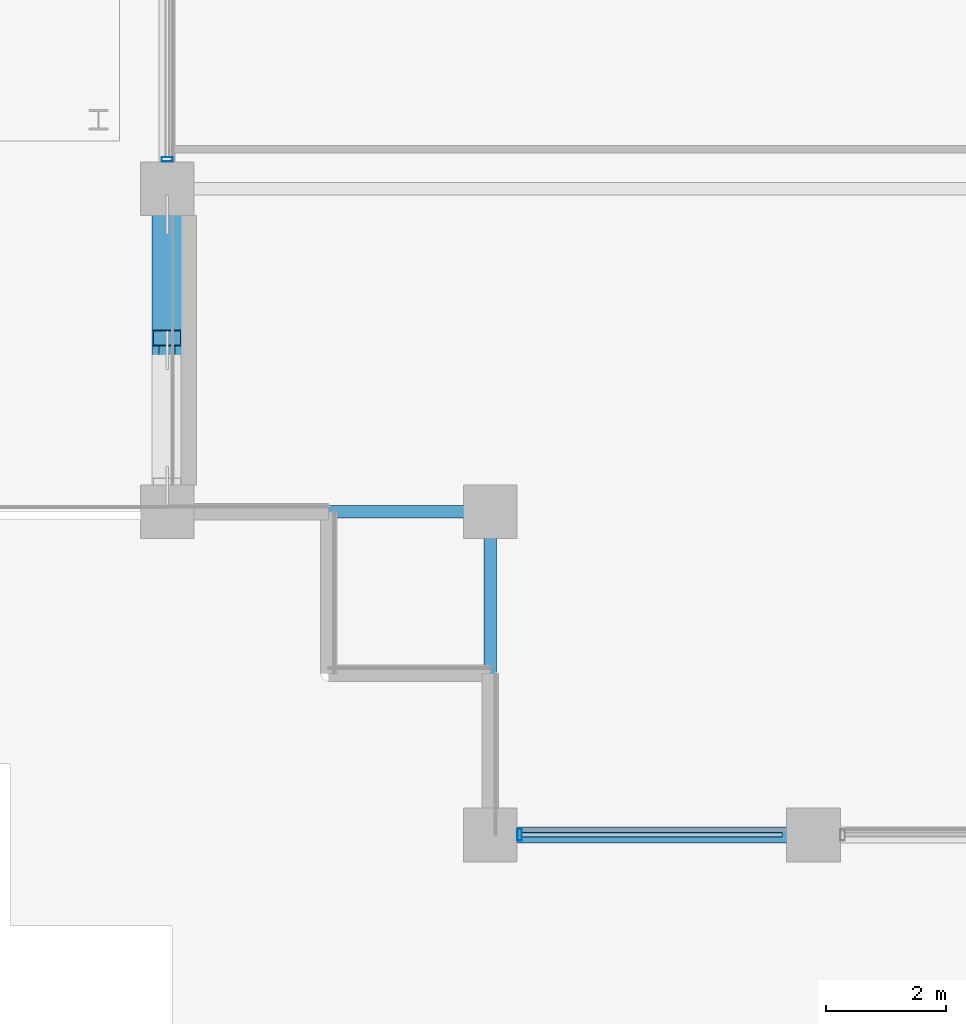
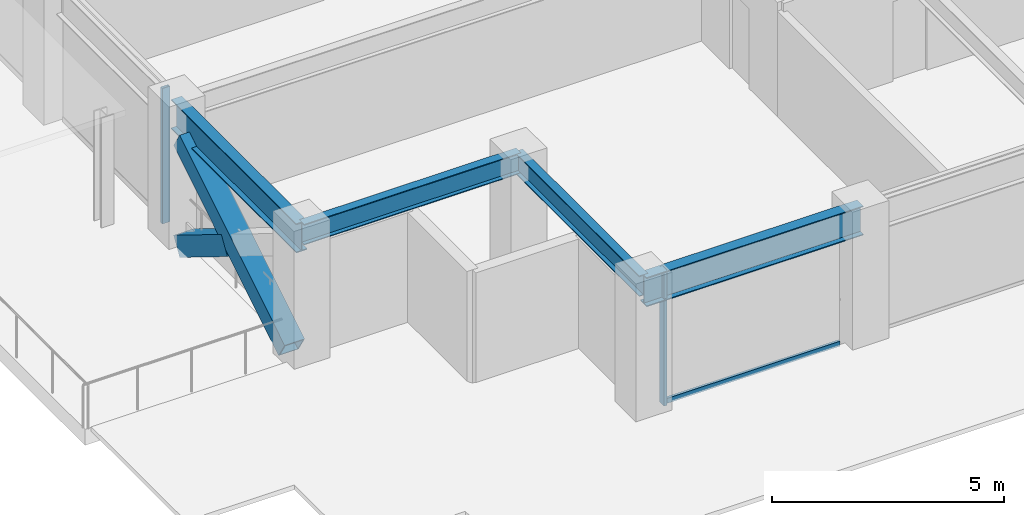
# One storey, part 3 of 36: 5 members, 4 beams, 2 elements without a shape of their own.
"""IFC4 building model written with IfcOpenShell, lengths in metres."""

from ifc_helpers import new_model, si_unit, direction, frame, origin, origin_2d, place, context, subcontext, project, spatial, hollow_rectangle, i_section, extrude, material, layer, layer_set, material_profile, profile_set, type_object, element, aggregate, save


model = new_model("IFC4")

# Units and contexts
model_context = context("Model", 3, precision=1e-05, world=origin(), true_north=direction((0.0, 1.0)))
body_context = subcontext(model_context, "Body", "Model", "MODEL_VIEW")
ifc_project = project(units=[si_unit("LENGTHUNIT", "METRE"), si_unit("AREAUNIT", "SQUARE_METRE"), si_unit("VOLUMEUNIT", "CUBIC_METRE"), si_unit("PLANEANGLEUNIT", "RADIAN"), si_unit("MASSUNIT", "GRAM", prefix="KILO")], contexts=[model_context])

# Site, building, storey
site_placement = place(None, origin())
site = spatial("IfcSite", under=ifc_project, at=site_placement, CompositionType="ELEMENT")
building_placement = place(site_placement, origin())
building = spatial("IfcBuilding", under=site, at=building_placement, Name="Surkhivell Harbour Commons", CompositionType="ELEMENT")
storey_placement = place(building_placement, frame((0.0, 0.0, 171.0)))
storey = spatial("IfcBuildingStorey", under=building, at=storey_placement, Name="L44", CompositionType="ELEMENT", Elevation=171.0)

# Beams
ifc_material_1 = material(Name="Steel S355", Category="steel")
ifc_material_profile_1 = material_profile(ifc_material_1, i_section(OverallWidth=0.2119140625, OverallDepth=0.5439453125, WebThickness=0.0126953125, FlangeThickness=0.021240234375, at=origin_2d()), Name="UB533x210x122")
ifc_profile_set_1 = profile_set([ifc_material_profile_1], Name="Steel S355")
beam_type_1 = type_object("IfcBeamType", Name="BM-GRD-533A", PredefinedType="BEAM", material=ifc_profile_set_1)
beam_1_placement = place(storey_placement, frame((-27.0, -16.199951171875, 3.298095703125), z_axis=(1.0, 0.0, 0.0), x_axis=(0.0, 1.0, 0.0)))
element("IfcBeam", 1, at=beam_1_placement, inside=storey, type_object=beam_type_1, Name="L44 Floor Girder (-27.0,-16.2)", PredefinedType="BEAM", context=body_context, shape_type="SweptSolid", body=[
    extrude(i_section(OverallWidth=0.2119140625, OverallDepth=0.5439453125, WebThickness=0.0126953125, FlangeThickness=0.021240234375, at=origin_2d()), origin(), (0.0, 0.0, 1.0), 5.39990234375),
])
beam_2_placement = place(storey_placement, frame((-21.60009765625, -21.60009765625, 3.298095703125), z_axis=(0.0, 1.0, 0.0), x_axis=(-1.0, 0.0, 0.0)))
element("IfcBeam", 2, at=beam_2_placement, inside=storey, type_object=beam_type_1, Name="L44 Floor Girder (-21.6,-21.6)", PredefinedType="BEAM", context=body_context, shape_type="SweptSolid", body=[
    extrude(i_section(OverallWidth=0.2119140625, OverallDepth=0.5439453125, WebThickness=0.0126953125, FlangeThickness=0.021240234375, at=origin_2d()), origin(), (0.0, 0.0, 1.0), 5.400146484375),
])
ifc_material_profile_2 = material_profile(ifc_material_1, i_section(OverallWidth=0.26806640625, OverallDepth=0.77001953125, WebThickness=0.015625, FlangeThickness=0.025390625, at=origin_2d()), Name="UB762x267x197")
ifc_profile_set_2 = profile_set([ifc_material_profile_2], Name="Steel S355")
beam_type_2 = type_object("IfcBeamType", Name="BM-SPN-762", PredefinedType="SPANDREL", material=ifc_profile_set_2)
beam_3_placement = place(storey_placement, frame((-27.0, -16.199951171875, 3.18505859375), z_axis=(0.0, 1.0, 0.0), x_axis=(-1.0, 0.0, 0.0)))
element("IfcBeam", 3, at=beam_3_placement, inside=storey, type_object=beam_type_2, Name="L44 Tube Spandrel (-27.0,-16.2)", PredefinedType="SPANDREL", context=body_context, shape_type="SweptSolid", body=[
    extrude(i_section(OverallWidth=0.26806640625, OverallDepth=0.77001953125, WebThickness=0.015625, FlangeThickness=0.025390625, at=origin_2d()), origin(), (0.0, 0.0, 1.0), 5.39990234375),
])
beam_4_placement = place(storey_placement, frame((-21.60009765625, -21.60009765625, 3.18505859375), z_axis=(1.0, 0.0, 0.0), x_axis=(0.0, 1.0, 0.0)))
element("IfcBeam", 4, at=beam_4_placement, inside=storey, type_object=beam_type_2, Name="L44 Tube Spandrel (-21.6,-21.6)", PredefinedType="SPANDREL", context=body_context, shape_type="SweptSolid", body=[
    extrude(i_section(OverallWidth=0.26806640625, OverallDepth=0.77001953125, WebThickness=0.015625, FlangeThickness=0.025390625, at=origin_2d()), origin(), (0.0, 0.0, 1.0), 5.400146484375),
])

# Curtain wall, member
ifc_material_2 = material(Name="Anodised pale-metal aluminium and insulated glazing", Category="aluminium")
ifc_layer = layer(ifc_material_2, 0.18994140625)
ifc_layer_set = layer_set([ifc_layer], Name="Anodised pale-metal aluminium and insulated glazing")
curtain_wall_type = type_object("IfcCurtainWallType", Name="CW-SYS-Z3", PredefinedType="NOTDEFINED", material=ifc_layer_set)
curtain_wall_1_placement = place(storey_placement, origin())
curtain_wall_1 = element("IfcCurtainWall", 5, at=curtain_wall_1_placement, inside=storey, type_object=curtain_wall_type, Name="L44 Curtain Wall CW-L44-E00S1", PredefinedType="NOTDEFINED")
ifc_material_3 = material(Name="Anodised pale-metal aluminium alloy 6063-T6", Category="aluminium")
ifc_material_profile_3 = material_profile(ifc_material_3, hollow_rectangle(XDim=0.074951171875, YDim=0.18994140625, WallThickness=0.00390625, at=origin_2d()), Name="ALU-MULL-75x190")
ifc_profile_set_3 = profile_set([ifc_material_profile_3], Name="Anodised pale-metal aluminium alloy 6063-T6")
member_type_1 = type_object("IfcMemberType", Name="CWM-190", PredefinedType="MULLION", material=ifc_profile_set_3)
member_1_placement = place(storey_placement, frame((-21.110595703125, -21.60009765625, 0.0), z_axis=(0.0, 0.0, 1.0), x_axis=(1.0, 0.0, 0.0)))
member_1 = element("IfcMember", 6, at=member_1_placement, type_object=member_type_1, Name="CW-Z3 mullion 1", PredefinedType="MULLION", context=body_context, shape_type="SweptSolid", body=[
    extrude(hollow_rectangle(XDim=0.074951171875, YDim=0.18994140625, WallThickness=0.00390625, at=origin_2d()), origin(), (0.0, 0.0, 1.0), 3.570068359375),
])

curtain_wall_2_placement = place(storey_placement, origin())
curtain_wall_2 = element("IfcCurtainWall", 7, at=curtain_wall_2_placement, inside=storey, type_object=curtain_wall_type, Name="L44 Curtain Wall CW-L44-E12AS1", PredefinedType="NOTDEFINED")
member_2_placement = place(storey_placement, frame((-27.0, -10.310546875, 0.0), z_axis=(0.0, 0.0, 1.0), x_axis=(0.0, 1.0, 0.0)))
member_2 = element("IfcMember", 8, at=member_2_placement, type_object=member_type_1, Name="CW-Z3 mullion 1", PredefinedType="MULLION", context=body_context, shape_type="SweptSolid", body=[
    extrude(hollow_rectangle(XDim=0.074951171875, YDim=0.18994140625, WallThickness=0.00390625, at=origin_2d()), origin(), (0.0, 0.0, 1.0), 3.570068359375),
])
aggregate(curtain_wall_2, [member_2])

# Member
ifc_material_4 = material(Name="Champagne anodised aluminium alloy 6063-T6", Category="aluminium")
ifc_material_profile_4 = material_profile(ifc_material_4, hollow_rectangle(XDim=0.070068359375, YDim=0.1298828125, WallThickness=0.00341796875, at=origin_2d()), Name="ALU-TRAN-70x130")
ifc_profile_set_4 = profile_set([ifc_material_profile_4], Name="Champagne anodised aluminium alloy 6063-T6")
member_type_2 = type_object("IfcMemberType", Name="CWT-130", PredefinedType="USERDEFINED", material=ifc_profile_set_4)
member_3_placement = place(storey_placement, frame((-21.072998046875, -21.60009765625, 0.06494140625), z_axis=(1.0, 0.0, 0.0), x_axis=(0.0, 1.0, 0.0)))
member_3 = element("IfcMember", 9, at=member_3_placement, type_object=member_type_2, Name="CW-Z3 transom 1.1", ObjectType="TRANSOM", PredefinedType="USERDEFINED", context=body_context, shape_type="SweptSolid", body=[
    extrude(hollow_rectangle(XDim=0.070068359375, YDim=0.1298828125, WallThickness=0.00341796875, at=origin_2d()), origin(), (0.0, 0.0, 1.0), 4.345947265625),
])

aggregate(curtain_wall_1, [member_1, member_3])

# Members
ifc_material_5 = material(Name="Steel S460", Category="steel")
ifc_material_profile_5 = material_profile(ifc_material_5, hollow_rectangle(XDim=0.5, YDim=0.5, WallThickness=0.02490234375, at=origin_2d()), Name="SHS500x500x25")
ifc_profile_set_5 = profile_set([ifc_material_profile_5], Name="Steel S460")
member_type_3 = type_object("IfcMemberType", Name="MEM-BRC-SHS500", PredefinedType="BRACE", material=ifc_profile_set_5)
member_4_placement = place(storey_placement, frame((-27.0, -15.764892578125, 0.008056640625), z_axis=(0.0, 0.850958380769, 0.525233123669), x_axis=(-1.0, 0.0, 0.0)))
element("IfcMember", 10, at=member_4_placement, inside=storey, type_object=member_type_3, Name="L44 Perimeter Mega-Brace MB- 10", PredefinedType="BRACE", context=body_context, shape_type="SweptSolid", body=[
    extrude(hollow_rectangle(XDim=0.5, YDim=0.5, WallThickness=0.02490234375, at=origin_2d()), origin(), (0.0, 0.0, 1.0), 5.3232421875),
])
member_5_placement = place(storey_placement, frame((-27.0, -11.235107421875, 0.008056640625), z_axis=(0.0, -0.8510034189, 0.525160147974), x_axis=(1.0, 0.0, 0.0)))
element("IfcMember", 11, at=member_5_placement, inside=storey, type_object=member_type_3, Name="L44 Perimeter Mega-Brace MB- 11", PredefinedType="BRACE", context=body_context, shape_type="SweptSolid", body=[
    extrude(hollow_rectangle(XDim=0.5, YDim=0.5, WallThickness=0.02490234375, at=origin_2d()), origin(), (0.0, 0.0, 1.0), 2.421630859375),
])

save(model, "model.ifc")
